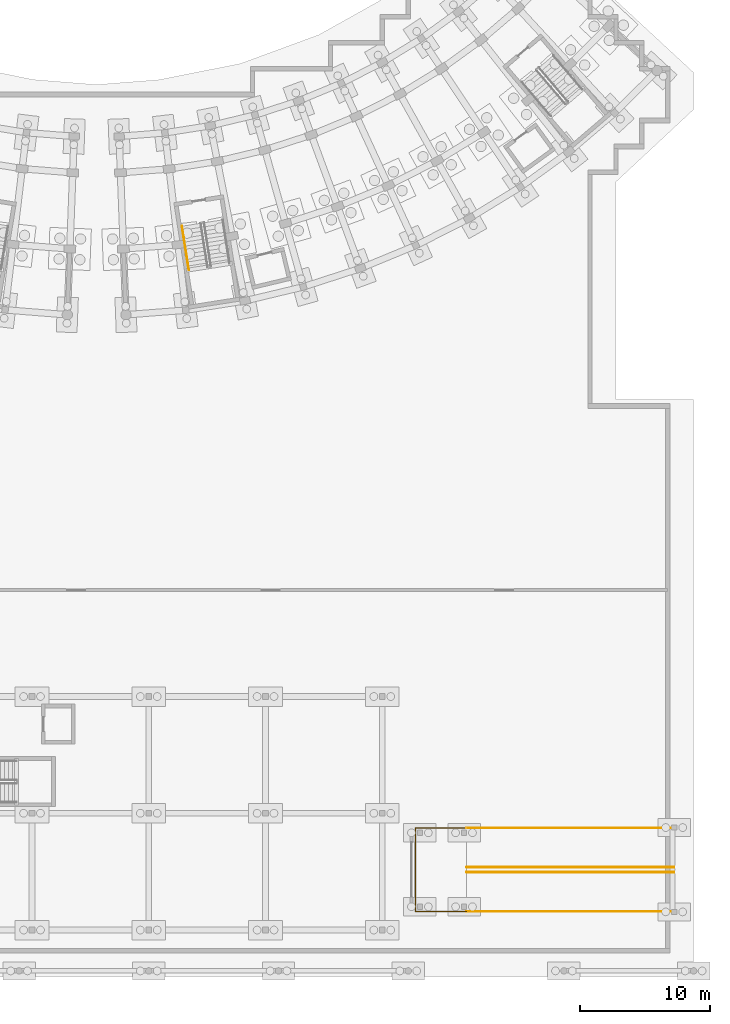
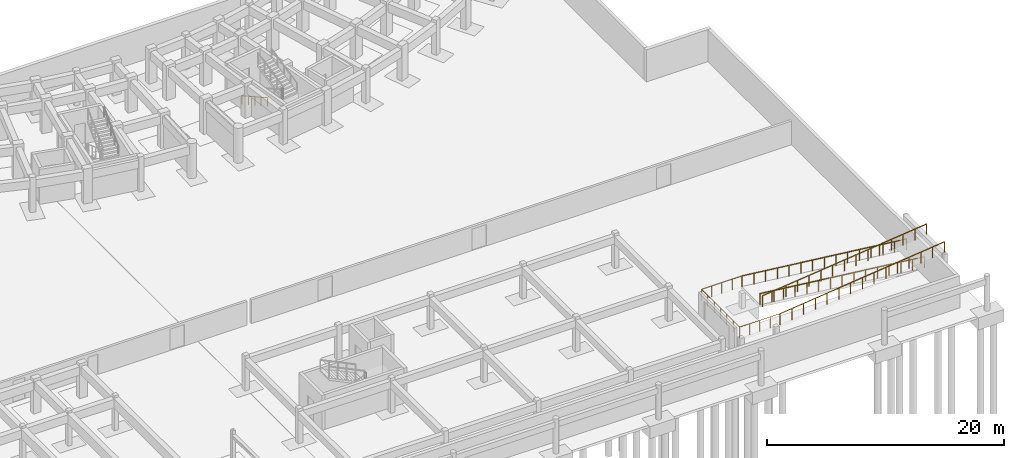
# One storey, part 31 of 32: 6 railings.
"""IFC4 building model written with IfcOpenShell, lengths in metres."""

from ifc_helpers import new_model, si_unit, direction, frame, origin, origin_2d, place, context, subcontext, project, spatial, circle, extrude, material, type_object, element, save


model = new_model("IFC4")

# Units and contexts
model_context = context("Model", 3, precision=1e-05, world=origin(), true_north=direction((0.0, 1.0)))
body_context = subcontext(model_context, "Body", "Model", "MODEL_VIEW")
ifc_project = project(units=[si_unit("LENGTHUNIT", "METRE"), si_unit("AREAUNIT", "SQUARE_METRE"), si_unit("VOLUMEUNIT", "CUBIC_METRE"), si_unit("PLANEANGLEUNIT", "RADIAN"), si_unit("MASSUNIT", "GRAM", prefix="KILO")], contexts=[model_context])

# Site, building, storey
site_placement = place(None, origin())
site = spatial("IfcSite", under=ifc_project, at=site_placement, CompositionType="ELEMENT")
building_placement = place(site_placement, origin())
building = spatial("IfcBuilding", under=site, at=building_placement, Name="Zimvara Arc Housing Community", CompositionType="ELEMENT")
storey_placement = place(building_placement, frame((0.0, 0.0, -3.60009765625)))
storey = spatial("IfcBuildingStorey", under=building, at=storey_placement, Name="B1", CompositionType="ELEMENT", Elevation=-3.60009765625)

# Railings
ifc_material_1 = material(Name="Anodised Aluminium AW-6063", Category="aluminium")
railing_type_1 = type_object("IfcRailingType", Name="RLG-BAL-1150", PredefinedType="BALUSTRADE", material=ifc_material_1)
railing_1_placement = place(storey_placement, frame((154.5, 5.0400390625, 1.800048828125)))
element("IfcRailing", 1, at=railing_1_placement, inside=storey, type_object=railing_type_1, Name="rlg:B1:ramp_up_south", PredefinedType="BALUSTRADE", context=body_context, shape_type="SweptSolid", body=[
    extrude(circle(Radius=0.02392578125, at=origin_2d()), frame((0.0, 0.0, 1.1259765625), z_axis=(0.993730979248, 0.0, 0.111797767792), x_axis=(0.0, 1.0, 0.0)), (0.0, 0.0, 1.0), 16.100830078125),
    extrude(circle(Radius=0.02099609375, at=origin_2d()), origin(), (0.0, 0.0, 1.0), 1.101806640625),
    extrude(circle(Radius=0.02099609375, at=origin_2d()), frame((1.142822265625, 0.0, 0.128662109375)), (0.0, 0.0, 1.0), 1.101806640625),
    extrude(circle(Radius=0.02099609375, at=origin_2d()), frame((2.28564453125, 0.0, 0.257080078125)), (0.0, 0.0, 1.0), 1.101806640625),
    extrude(circle(Radius=0.02099609375, at=origin_2d()), frame((3.428466796875, 0.0, 0.3857421875)), (0.0, 0.0, 1.0), 1.101806640625),
    extrude(circle(Radius=0.02099609375, at=origin_2d()), frame((4.571533203125, 0.0, 0.514404296875)), (0.0, 0.0, 1.0), 1.101806640625),
    extrude(circle(Radius=0.02099609375, at=origin_2d()), frame((5.71435546875, 0.0, 0.642822265625)), (0.0, 0.0, 1.0), 1.101806640625),
    extrude(circle(Radius=0.02099609375, at=origin_2d()), frame((6.857177734375, 0.0, 0.771484375)), (0.0, 0.0, 1.0), 1.101806640625),
    extrude(circle(Radius=0.02099609375, at=origin_2d()), frame((8.0, 0.0, 0.89990234375)), (0.0, 0.0, 1.0), 1.101806640625),
    extrude(circle(Radius=0.02099609375, at=origin_2d()), frame((9.142822265625, 0.0, 1.028564453125)), (0.0, 0.0, 1.0), 1.101806640625),
    extrude(circle(Radius=0.02099609375, at=origin_2d()), frame((10.28564453125, 0.0, 1.1572265625)), (0.0, 0.0, 1.0), 1.101806640625),
    extrude(circle(Radius=0.02099609375, at=origin_2d()), frame((11.428466796875, 0.0, 1.28564453125)), (0.0, 0.0, 1.0), 1.101806640625),
    extrude(circle(Radius=0.02099609375, at=origin_2d()), frame((12.571533203125, 0.0, 1.414306640625)), (0.0, 0.0, 1.0), 1.101806640625),
    extrude(circle(Radius=0.02099609375, at=origin_2d()), frame((13.71435546875, 0.0, 1.54296875)), (0.0, 0.0, 1.0), 1.101806640625),
    extrude(circle(Radius=0.02099609375, at=origin_2d()), frame((14.857177734375, 0.0, 1.67138671875)), (0.0, 0.0, 1.0), 1.101806640625),
    extrude(circle(Radius=0.02099609375, at=origin_2d()), frame((16.0, 0.0, 1.800048828125)), (0.0, 0.0, 1.0), 1.101806640625),
])
railing_2_placement = place(storey_placement, frame((154.5, 8.06005859375, 1.800048828125)))
element("IfcRailing", 2, at=railing_2_placement, inside=storey, type_object=railing_type_1, Name="rlg:B1:ramp_up_inner", PredefinedType="BALUSTRADE", context=body_context, shape_type="SweptSolid", body=[
    extrude(circle(Radius=0.02392578125, at=origin_2d()), frame((0.0, 0.0, 1.1259765625), z_axis=(0.993730979248, 0.0, 0.111797767792), x_axis=(0.0, 1.0, 0.0)), (0.0, 0.0, 1.0), 16.100830078125),
    extrude(circle(Radius=0.02099609375, at=origin_2d()), origin(), (0.0, 0.0, 1.0), 1.101806640625),
    extrude(circle(Radius=0.02099609375, at=origin_2d()), frame((1.142822265625, 0.0, 0.128662109375)), (0.0, 0.0, 1.0), 1.101806640625),
    extrude(circle(Radius=0.02099609375, at=origin_2d()), frame((2.28564453125, 0.0, 0.257080078125)), (0.0, 0.0, 1.0), 1.101806640625),
    extrude(circle(Radius=0.02099609375, at=origin_2d()), frame((3.428466796875, 0.0, 0.3857421875)), (0.0, 0.0, 1.0), 1.101806640625),
    extrude(circle(Radius=0.02099609375, at=origin_2d()), frame((4.571533203125, 0.0, 0.514404296875)), (0.0, 0.0, 1.0), 1.101806640625),
    extrude(circle(Radius=0.02099609375, at=origin_2d()), frame((5.71435546875, 0.0, 0.642822265625)), (0.0, 0.0, 1.0), 1.101806640625),
    extrude(circle(Radius=0.02099609375, at=origin_2d()), frame((6.857177734375, 0.0, 0.771484375)), (0.0, 0.0, 1.0), 1.101806640625),
    extrude(circle(Radius=0.02099609375, at=origin_2d()), frame((8.0, 0.0, 0.89990234375)), (0.0, 0.0, 1.0), 1.101806640625),
    extrude(circle(Radius=0.02099609375, at=origin_2d()), frame((9.142822265625, 0.0, 1.028564453125)), (0.0, 0.0, 1.0), 1.101806640625),
    extrude(circle(Radius=0.02099609375, at=origin_2d()), frame((10.28564453125, 0.0, 1.1572265625)), (0.0, 0.0, 1.0), 1.101806640625),
    extrude(circle(Radius=0.02099609375, at=origin_2d()), frame((11.428466796875, 0.0, 1.28564453125)), (0.0, 0.0, 1.0), 1.101806640625),
    extrude(circle(Radius=0.02099609375, at=origin_2d()), frame((12.571533203125, 0.0, 1.414306640625)), (0.0, 0.0, 1.0), 1.101806640625),
    extrude(circle(Radius=0.02099609375, at=origin_2d()), frame((13.71435546875, 0.0, 1.54296875)), (0.0, 0.0, 1.0), 1.101806640625),
    extrude(circle(Radius=0.02099609375, at=origin_2d()), frame((14.857177734375, 0.0, 1.67138671875)), (0.0, 0.0, 1.0), 1.101806640625),
    extrude(circle(Radius=0.02099609375, at=origin_2d()), frame((16.0, 0.0, 1.800048828125)), (0.0, 0.0, 1.0), 1.101806640625),
])
railing_3_placement = place(storey_placement, frame((154.5, 8.43994140625, 1.800048828125)))
element("IfcRailing", 3, at=railing_3_placement, inside=storey, type_object=railing_type_1, Name="rlg:B1:ramp_dn_inner", PredefinedType="BALUSTRADE", context=body_context, shape_type="SweptSolid", body=[
    extrude(circle(Radius=0.02392578125, at=origin_2d()), frame((0.0, 0.0, 1.1259765625), z_axis=(0.993730979248, 0.0, -0.111797767792), x_axis=(0.0, 1.0, 0.0)), (0.0, 0.0, 1.0), 16.100830078125),
    extrude(circle(Radius=0.02099609375, at=origin_2d()), origin(), (0.0, 0.0, 1.0), 1.101806640625),
    extrude(circle(Radius=0.02099609375, at=origin_2d()), frame((1.142822265625, 0.0, -0.128662109375)), (0.0, 0.0, 1.0), 1.101806640625),
    extrude(circle(Radius=0.02099609375, at=origin_2d()), frame((2.28564453125, 0.0, -0.257080078125)), (0.0, 0.0, 1.0), 1.101806640625),
    extrude(circle(Radius=0.02099609375, at=origin_2d()), frame((3.428466796875, 0.0, -0.3857421875)), (0.0, 0.0, 1.0), 1.101806640625),
    extrude(circle(Radius=0.02099609375, at=origin_2d()), frame((4.571533203125, 0.0, -0.514404296875)), (0.0, 0.0, 1.0), 1.101806640625),
    extrude(circle(Radius=0.02099609375, at=origin_2d()), frame((5.71435546875, 0.0, -0.642822265625)), (0.0, 0.0, 1.0), 1.101806640625),
    extrude(circle(Radius=0.02099609375, at=origin_2d()), frame((6.857177734375, 0.0, -0.771484375)), (0.0, 0.0, 1.0), 1.101806640625),
    extrude(circle(Radius=0.02099609375, at=origin_2d()), frame((8.0, 0.0, -0.89990234375)), (0.0, 0.0, 1.0), 1.101806640625),
    extrude(circle(Radius=0.02099609375, at=origin_2d()), frame((9.142822265625, 0.0, -1.028564453125)), (0.0, 0.0, 1.0), 1.101806640625),
    extrude(circle(Radius=0.02099609375, at=origin_2d()), frame((10.28564453125, 0.0, -1.1572265625)), (0.0, 0.0, 1.0), 1.101806640625),
    extrude(circle(Radius=0.02099609375, at=origin_2d()), frame((11.428466796875, 0.0, -1.28564453125)), (0.0, 0.0, 1.0), 1.101806640625),
    extrude(circle(Radius=0.02099609375, at=origin_2d()), frame((12.571533203125, 0.0, -1.414306640625)), (0.0, 0.0, 1.0), 1.101806640625),
    extrude(circle(Radius=0.02099609375, at=origin_2d()), frame((13.71435546875, 0.0, -1.54296875)), (0.0, 0.0, 1.0), 1.101806640625),
    extrude(circle(Radius=0.02099609375, at=origin_2d()), frame((14.857177734375, 0.0, -1.67138671875)), (0.0, 0.0, 1.0), 1.101806640625),
    extrude(circle(Radius=0.02099609375, at=origin_2d()), frame((16.0, 0.0, -1.800048828125)), (0.0, 0.0, 1.0), 1.101806640625),
])
railing_4_placement = place(storey_placement, frame((154.5, 11.4599609375, 1.800048828125)))
element("IfcRailing", 4, at=railing_4_placement, inside=storey, type_object=railing_type_1, Name="rlg:B1:ramp_dn_north", PredefinedType="BALUSTRADE", context=body_context, shape_type="SweptSolid", body=[
    extrude(circle(Radius=0.02392578125, at=origin_2d()), frame((0.0, 0.0, 1.1259765625), z_axis=(0.993730979248, 0.0, -0.111797767792), x_axis=(0.0, 1.0, 0.0)), (0.0, 0.0, 1.0), 16.100830078125),
    extrude(circle(Radius=0.02099609375, at=origin_2d()), origin(), (0.0, 0.0, 1.0), 1.101806640625),
    extrude(circle(Radius=0.02099609375, at=origin_2d()), frame((1.142822265625, 0.0, -0.128662109375)), (0.0, 0.0, 1.0), 1.101806640625),
    extrude(circle(Radius=0.02099609375, at=origin_2d()), frame((2.28564453125, 0.0, -0.257080078125)), (0.0, 0.0, 1.0), 1.101806640625),
    extrude(circle(Radius=0.02099609375, at=origin_2d()), frame((3.428466796875, 0.0, -0.3857421875)), (0.0, 0.0, 1.0), 1.101806640625),
    extrude(circle(Radius=0.02099609375, at=origin_2d()), frame((4.571533203125, 0.0, -0.514404296875)), (0.0, 0.0, 1.0), 1.101806640625),
    extrude(circle(Radius=0.02099609375, at=origin_2d()), frame((5.71435546875, 0.0, -0.642822265625)), (0.0, 0.0, 1.0), 1.101806640625),
    extrude(circle(Radius=0.02099609375, at=origin_2d()), frame((6.857177734375, 0.0, -0.771484375)), (0.0, 0.0, 1.0), 1.101806640625),
    extrude(circle(Radius=0.02099609375, at=origin_2d()), frame((8.0, 0.0, -0.89990234375)), (0.0, 0.0, 1.0), 1.101806640625),
    extrude(circle(Radius=0.02099609375, at=origin_2d()), frame((9.142822265625, 0.0, -1.028564453125)), (0.0, 0.0, 1.0), 1.101806640625),
    extrude(circle(Radius=0.02099609375, at=origin_2d()), frame((10.28564453125, 0.0, -1.1572265625)), (0.0, 0.0, 1.0), 1.101806640625),
    extrude(circle(Radius=0.02099609375, at=origin_2d()), frame((11.428466796875, 0.0, -1.28564453125)), (0.0, 0.0, 1.0), 1.101806640625),
    extrude(circle(Radius=0.02099609375, at=origin_2d()), frame((12.571533203125, 0.0, -1.414306640625)), (0.0, 0.0, 1.0), 1.101806640625),
    extrude(circle(Radius=0.02099609375, at=origin_2d()), frame((13.71435546875, 0.0, -1.54296875)), (0.0, 0.0, 1.0), 1.101806640625),
    extrude(circle(Radius=0.02099609375, at=origin_2d()), frame((14.857177734375, 0.0, -1.67138671875)), (0.0, 0.0, 1.0), 1.101806640625),
    extrude(circle(Radius=0.02099609375, at=origin_2d()), frame((16.0, 0.0, -1.800048828125)), (0.0, 0.0, 1.0), 1.101806640625),
])
railing_5_placement = place(storey_placement, frame((154.5, 5.0400390625, 1.800048828125)))
element("IfcRailing", 5, at=railing_5_placement, inside=storey, type_object=railing_type_1, Name="rlg:B1:ramp_mid_perim", PredefinedType="BALUSTRADE", context=body_context, shape_type="SweptSolid", body=[
    extrude(circle(Radius=0.02392578125, at=origin_2d()), frame((0.0, 0.0, 1.1259765625), z_axis=(-1.0, 0.0, 0.0), x_axis=(0.0, -1.0, 0.0)), (0.0, 0.0, 1.0), 3.949951171875),
    extrude(circle(Radius=0.02392578125, at=origin_2d()), frame((-3.949951171875, 0.0, 1.1259765625), z_axis=(0.0, 1.0, 0.0), x_axis=(-1.0, 0.0, 0.0)), (0.0, 0.0, 1.0), 6.419921875),
    extrude(circle(Radius=0.02392578125, at=origin_2d()), frame((-3.949951171875, 6.419921875, 1.1259765625), z_axis=(1.0, 0.0, 0.0), x_axis=(0.0, 1.0, 0.0)), (0.0, 0.0, 1.0), 3.949951171875),
    extrude(circle(Radius=0.02099609375, at=origin_2d()), origin(), (0.0, 0.0, 1.0), 1.101806640625),
    extrude(circle(Radius=0.02099609375, at=origin_2d()), frame((-0.987548828125, 0.0, 0.0)), (0.0, 0.0, 1.0), 1.101806640625),
    extrude(circle(Radius=0.02099609375, at=origin_2d()), frame((-1.97509765625, 0.0, 0.0)), (0.0, 0.0, 1.0), 1.101806640625),
    extrude(circle(Radius=0.02099609375, at=origin_2d()), frame((-2.96240234375, 0.0, 0.0)), (0.0, 0.0, 1.0), 1.101806640625),
    extrude(circle(Radius=0.02099609375, at=origin_2d()), frame((-3.949951171875, 0.0, 0.0)), (0.0, 0.0, 1.0), 1.101806640625),
    extrude(circle(Radius=0.02099609375, at=origin_2d()), frame((-3.949951171875, 1.070068359375, 0.0)), (0.0, 0.0, 1.0), 1.101806640625),
    extrude(circle(Radius=0.02099609375, at=origin_2d()), frame((-3.949951171875, 2.139892578125, 0.0)), (0.0, 0.0, 1.0), 1.101806640625),
    extrude(circle(Radius=0.02099609375, at=origin_2d()), frame((-3.949951171875, 3.2099609375, 0.0)), (0.0, 0.0, 1.0), 1.101806640625),
    extrude(circle(Radius=0.02099609375, at=origin_2d()), frame((-3.949951171875, 4.280029296875, 0.0)), (0.0, 0.0, 1.0), 1.101806640625),
    extrude(circle(Radius=0.02099609375, at=origin_2d()), frame((-3.949951171875, 5.349853515625, 0.0)), (0.0, 0.0, 1.0), 1.101806640625),
    extrude(circle(Radius=0.02099609375, at=origin_2d()), frame((-3.949951171875, 6.419921875, 0.0)), (0.0, 0.0, 1.0), 1.101806640625),
    extrude(circle(Radius=0.02099609375, at=origin_2d()), frame((-2.96240234375, 6.419921875, 0.0)), (0.0, 0.0, 1.0), 1.101806640625),
    extrude(circle(Radius=0.02099609375, at=origin_2d()), frame((-1.97509765625, 6.419921875, 0.0)), (0.0, 0.0, 1.0), 1.101806640625),
    extrude(circle(Radius=0.02099609375, at=origin_2d()), frame((-0.987548828125, 6.419921875, 0.0)), (0.0, 0.0, 1.0), 1.101806640625),
    extrude(circle(Radius=0.02099609375, at=origin_2d()), frame((0.0, 6.419921875, 0.0)), (0.0, 0.0, 1.0), 1.101806640625),
])
ifc_material_2 = material(Name="Anodised Aluminium AW-6063", Category="aluminium")
railing_type_2 = type_object("IfcRailingType", Name="RLG-HND-900", PredefinedType="HANDRAIL", material=ifc_material_2)
railing_6_placement = place(storey_placement, frame((132.561279296875, 57.8505859375, 0.150146484375)))
element("IfcRailing", 6, at=railing_6_placement, inside=storey, type_object=railing_type_2, Name="B1 ST-D1 stair handrail 1", PredefinedType="HANDRAIL", context=body_context, shape_type="SweptSolid", body=[
    extrude(circle(Radius=0.02392578125, at=origin_2d()), frame((0.0, 0.0, 0.8759765625), z_axis=(0.140047979389, -0.889204772953, 0.435547282425), x_axis=(0.987823264975, 0.155580195317, 0.0)), (0.0, 0.0, 1.0), 3.7880859375),
    extrude(circle(Radius=0.02099609375, at=origin_2d()), origin(), (0.0, 0.0, 1.0), 0.851806640625),
    extrude(circle(Radius=0.02099609375, at=origin_2d()), frame((0.132568359375, -0.842041015625, 0.41259765625)), (0.0, 0.0, 1.0), 0.851806640625),
    extrude(circle(Radius=0.02099609375, at=origin_2d()), frame((0.26513671875, -1.68408203125, 0.824951171875)), (0.0, 0.0, 1.0), 0.851806640625),
    extrude(circle(Radius=0.02099609375, at=origin_2d()), frame((0.39794921875, -2.5263671875, 1.2373046875)), (0.0, 0.0, 1.0), 0.851806640625),
    extrude(circle(Radius=0.02099609375, at=origin_2d()), frame((0.530517578125, -3.368408203125, 1.64990234375)), (0.0, 0.0, 1.0), 0.851806640625),
])

save(model, "model.ifc")
